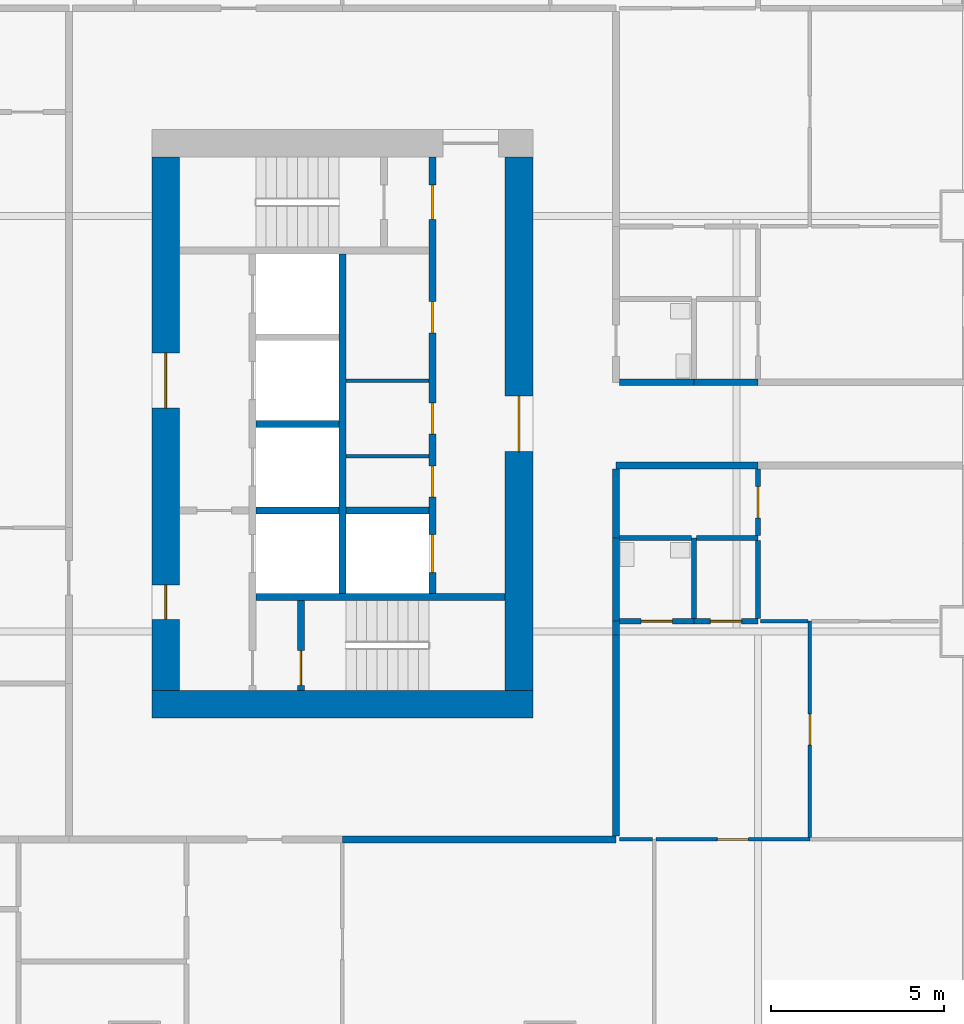
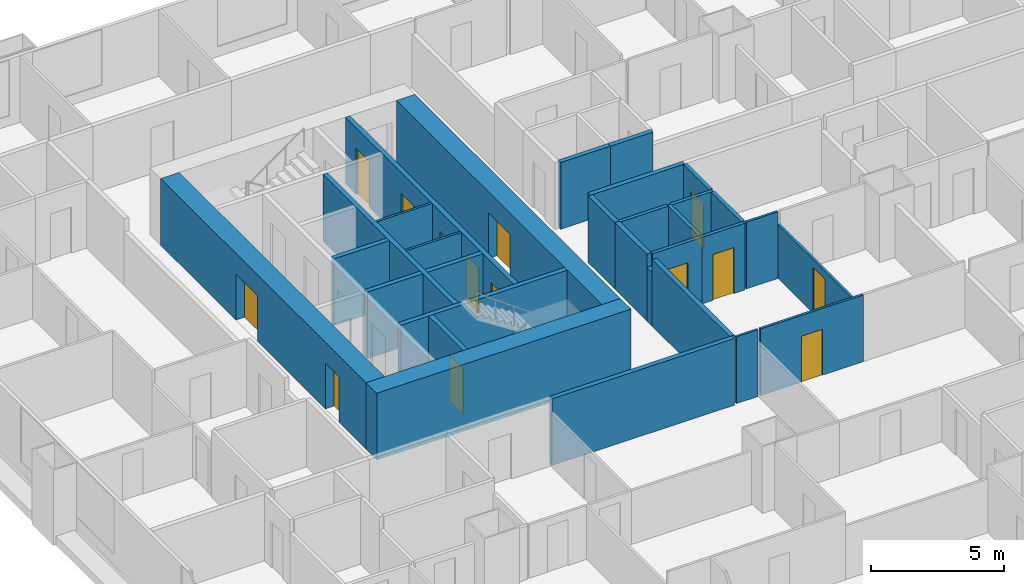
# One storey, part 4 of 14: 31 walls, 14 doors, 14 openings.
"""IFC4 building model written with IfcOpenShell, lengths in metres."""

from ifc_helpers import new_model, si_unit, direction, frame, frame_2d, origin, place, context, subcontext, project, spatial, rectangle, extrude, material, layer, layer_set, type_object, element, fill, save


model = new_model("IFC4")

# Units and contexts
model_context = context("Model", 3, precision=1e-05, world=origin(), true_north=direction((0.0, 1.0)))
body_context = subcontext(model_context, "Body", "Model", "MODEL_VIEW")
ifc_project = project(units=[si_unit("LENGTHUNIT", "METRE"), si_unit("AREAUNIT", "SQUARE_METRE"), si_unit("VOLUMEUNIT", "CUBIC_METRE"), si_unit("PLANEANGLEUNIT", "RADIAN"), si_unit("MASSUNIT", "GRAM", prefix="KILO")], contexts=[model_context])

# Site, building, storey
site_placement = place(None, origin())
site = spatial("IfcSite", under=ifc_project, at=site_placement, CompositionType="ELEMENT")
building_placement = place(site_placement, origin())
building = spatial("IfcBuilding", under=site, at=building_placement, Name="Kitamizu Gate Tower and Museum", CompositionType="ELEMENT")
storey_placement = place(building_placement, frame((0.0, 0.0, 61.050048828125)))
storey = spatial("IfcBuildingStorey", under=building, at=storey_placement, Name="L14", CompositionType="ELEMENT", Elevation=61.050048828125)

# Wall
ifc_material_1 = material(Name="Concrete Fc60", Category="concrete")
ifc_layer_1 = layer(ifc_material_1, 0.800048828125)
ifc_layer_set_1 = layer_set([ifc_layer_1], Name="Concrete Fc60")
wall_type_1 = type_object("IfcWallType", Name="Core wall 800", PredefinedType="SHEAR", material=ifc_layer_set_1)
wall_1_placement = place(storey_placement, frame((12.5, 21.89990234375, 0.0), z_axis=(0.0, 0.0, 1.0), x_axis=(1.0, 0.0, 0.0)))
element("IfcWall", 1, at=wall_1_placement, inside=storey, type_object=wall_type_1, Name="Core wall WS", PredefinedType="SHEAR", context=body_context, shape_type="SweptSolid", body=[
    extrude(rectangle(XDim=11.0, YDim=0.800048828125, at=frame_2d((5.5, 0.0))), origin(), (0.0, 0.0, 1.0), 3.050048828125),
])

# Wall, openings, doors
wall_2_placement = place(storey_placement, frame((12.89990234375, 22.300048828125, 0.0), z_axis=(0.0, 0.0, 1.0), x_axis=(0.0, 1.0, 0.0)))
wall_2 = element("IfcWall", 2, at=wall_2_placement, inside=storey, type_object=wall_type_1, Name="Core wall WOUT", PredefinedType="SHEAR", context=body_context, shape_type="SweptSolid", body=[
    extrude(rectangle(XDim=15.39990234375, YDim=0.800048828125, at=frame_2d((7.699951171875, 0.0))), origin(), (0.0, 0.0, 1.0), 3.050048828125),
])
opening_1_placement = place(wall_2_placement, frame((8.14990234375, 0.0, 0.0)))
opening_1 = element("IfcOpeningElement", 3, at=opening_1_placement, cuts=wall_2, Name="Opening L14-090", PredefinedType="OPENING", context=body_context, shape_type="SweptSolid", body=[
    extrude(rectangle(XDim=1.60009765625, YDim=2.10009765625, at=frame_2d((0.800048828125, 1.050048828125))), frame((0.0, 0.41015625, 0.0), z_axis=(0.0, -1.0, 0.0), x_axis=(1.0, 0.0, 0.0)), (0.0, 0.0, 1.0), 0.820068359375),
])
opening_2_placement = place(wall_2_placement, frame((2.050048828125, 0.0, 0.0)))
opening_2 = element("IfcOpeningElement", 4, at=opening_2_placement, cuts=wall_2, Name="Opening L14-091", PredefinedType="OPENING", context=body_context, shape_type="SweptSolid", body=[
    extrude(rectangle(XDim=1.0, YDim=2.10009765625, at=frame_2d((0.5, 1.050048828125))), frame((0.0, 0.41015625, 0.0), z_axis=(0.0, -1.0, 0.0), x_axis=(1.0, 0.0, 0.0)), (0.0, 0.0, 1.0), 0.820068359375),
])
ifc_material_2 = material(Name="Timber door set", Category="wood")
door_type_1 = type_object("IfcDoorType", Name="Entrance door 1600", OperationType="DOUBLE_DOOR_SINGLE_SWING", PredefinedType="DOOR", material=ifc_material_2)
door_1_placement = place(opening_1_placement, origin())
door_1 = element("IfcDoor", 5, at=door_1_placement, inside=storey, type_object=door_type_1, Name="Lobby door L14-090", OperationType="DOUBLE_DOOR_SINGLE_SWING", OverallHeight=2.10009765625, OverallWidth=1.60009765625, PredefinedType="DOOR", context=body_context, shape_type="SweptSolid", body=[
    extrude(rectangle(XDim=1.60009765625, YDim=2.10009765625, at=frame_2d((0.800048828125, 1.050048828125))), frame((0.0, 0.02490234375, 0.0), z_axis=(0.0, -1.0, 0.0), x_axis=(1.0, 0.0, 0.0)), (0.0, 0.0, 1.0), 0.050048828125),
])
fill(opening_1, door_1)
ifc_material_3 = material(Name="Hollow metal door set")
door_type_2 = type_object("IfcDoorType", Name="Fire door 1000", OperationType="NOTDEFINED", PredefinedType="DOOR", material=ifc_material_3)
door_2_placement = place(opening_2_placement, frame((1.0, 0.0, 0.0), x_axis=(-1.0, 0.0, 0.0)))
door_2 = element("IfcDoor", 6, at=door_2_placement, inside=storey, type_object=door_type_2, Name="Fire-fighting lobby door L14-091", OperationType="SINGLE_SWING_RIGHT", OverallHeight=2.10009765625, OverallWidth=1.0, PredefinedType="DOOR", context=body_context, shape_type="SweptSolid", body=[
    extrude(rectangle(XDim=1.0, YDim=2.10009765625, at=frame_2d((0.5, 1.050048828125))), frame((0.0, 0.02490234375, 0.0), z_axis=(0.0, -1.0, 0.0), x_axis=(1.0, 0.0, 0.0)), (0.0, 0.0, 1.0), 0.050048828125),
])
fill(opening_2, door_2)

# Wall, opening, door
wall_3_placement = place(storey_placement, frame((23.10009765625, 22.300048828125, 0.0), z_axis=(0.0, 0.0, 1.0), x_axis=(0.0, 1.0, 0.0)))
wall_3 = element("IfcWall", 7, at=wall_3_placement, inside=storey, type_object=wall_type_1, Name="Core wall WARC", PredefinedType="SHEAR", context=body_context, shape_type="SweptSolid", body=[
    extrude(rectangle(XDim=15.39990234375, YDim=0.800048828125, at=frame_2d((7.699951171875, 0.0))), origin(), (0.0, 0.0, 1.0), 3.050048828125),
])
opening_3_placement = place(wall_3_placement, frame((6.89990234375, 0.0, 0.0)))
opening_3 = element("IfcOpeningElement", 8, at=opening_3_placement, cuts=wall_3, Name="Opening L14-093", PredefinedType="OPENING", context=body_context, shape_type="SweptSolid", body=[
    extrude(rectangle(XDim=1.60009765625, YDim=2.10009765625, at=frame_2d((0.800048828125, 1.050048828125))), frame((0.0, 0.41015625, 0.0), z_axis=(0.0, -1.0, 0.0), x_axis=(1.0, 0.0, 0.0)), (0.0, 0.0, 1.0), 0.820068359375),
])
door_3_placement = place(opening_3_placement, origin())
door_3 = element("IfcDoor", 9, at=door_3_placement, inside=storey, type_object=door_type_1, Name="Lobby door L14-093", OperationType="DOUBLE_DOOR_SINGLE_SWING", OverallHeight=2.10009765625, OverallWidth=1.60009765625, PredefinedType="DOOR", context=body_context, shape_type="SweptSolid", body=[
    extrude(rectangle(XDim=1.60009765625, YDim=2.10009765625, at=frame_2d((0.800048828125, 1.050048828125))), frame((0.0, 0.02490234375, 0.0), z_axis=(0.0, -1.0, 0.0), x_axis=(1.0, 0.0, 0.0)), (0.0, 0.0, 1.0), 0.050048828125),
])
fill(opening_3, door_3)

# Walls
ifc_material_4 = material(Name="Gypsum board on galvanised stud")
ifc_layer_2 = layer(ifc_material_4, 0.10009765625)
ifc_layer_set_2 = layer_set([ifc_layer_2], Name="Gypsum board on galvanised stud")
wall_type_2 = type_object("IfcWallType", Name="Partition 100", PredefinedType="PARTITIONING", material=ifc_layer_set_2)
for number, where, z_axis, x_axis, name in (
    (10, (18.10009765625, 29.06005859375, 0.0), (0.0, 0.0, 1.0), (1.0, 0.0, 0.0), "Partition WPF1"),
    (11, (18.10009765625, 31.25, 0.0), (0.0, 0.0, 1.0), (1.0, 0.0, 0.0), "Partition WPF2"),
):
    element("IfcWall", number, at=place(storey_placement, frame(where, z_axis=z_axis, x_axis=x_axis)), inside=storey, type_object=wall_type_2, Name=name, PredefinedType="PARTITIONING", context=body_context, shape_type="SweptSolid", body=[
        extrude(rectangle(XDim=2.39990234375, YDim=0.10009765625, at=frame_2d((1.199951171875, 0.0))), origin(), (0.0, 0.0, 1.0), 3.050048828125),
    ])
ifc_material_5 = material(Name="Gypsum board on galvanised stud")
ifc_layer_3 = layer(ifc_material_5, 0.10009765625)
ifc_layer_set_3 = layer_set([ifc_layer_3], Name="Gypsum board on galvanised stud")
wall_type_3 = type_object("IfcWallType", Name="Partition 100 NOT RATED", PredefinedType="PARTITIONING", material=ifc_layer_set_3)
wall_4_placement = place(storey_placement, frame((26.949951171875, 18.0, 0.0), z_axis=(0.0, 0.0, 1.0), x_axis=(-1.0, 0.0, 0.0)))
element("IfcWall", 12, at=wall_4_placement, inside=storey, type_object=wall_type_3, Name="Partition L14-047", PredefinedType="PARTITIONING", context=body_context, shape_type="SweptSolid", body=[
    extrude(rectangle(XDim=0.949951171875, YDim=0.10009765625, at=frame_2d((0.47509765625, 0.0))), origin(), (0.0, 0.0, 1.0), 3.050048828125),
])

# Wall, opening, door
wall_5_placement = place(storey_placement, frame((31.5, 18.0, 0.0), z_axis=(0.0, 0.0, 1.0), x_axis=(-1.0, 0.0, 0.0)))
wall_5 = element("IfcWall", 13, at=wall_5_placement, inside=storey, type_object=wall_type_3, Name="Partition L14-049", PredefinedType="PARTITIONING", context=body_context, shape_type="SweptSolid", body=[
    extrude(rectangle(XDim=4.449951171875, YDim=0.10009765625, at=frame_2d((2.22509765625, 0.0))), origin(), (0.0, 0.0, 1.0), 3.050048828125),
])
opening_4_placement = place(wall_5_placement, frame((1.77490234375, 0.0, 0.0)))
opening_4 = element("IfcOpeningElement", 14, at=opening_4_placement, cuts=wall_5, Name="Opening L14-019", PredefinedType="OPENING", context=body_context, shape_type="SweptSolid", body=[
    extrude(rectangle(XDim=0.89990234375, YDim=2.10009765625, at=frame_2d((0.449951171875, 1.050048828125))), frame((0.0, 0.06005859375, 0.0), z_axis=(0.0, -1.0, 0.0), x_axis=(1.0, 0.0, 0.0)), (0.0, 0.0, 1.0), 0.1201171875),
])
ifc_material_6 = material(Name="Timber door set", Category="wood")
door_type_3 = type_object("IfcDoorType", Name="Room door 900", OperationType="NOTDEFINED", PredefinedType="DOOR", material=ifc_material_6)
door_4_placement = place(opening_4_placement, frame((0.89990234375, 0.0, 0.0), x_axis=(-1.0, 0.0, 0.0)))
door_4 = element("IfcDoor", 15, at=door_4_placement, inside=storey, type_object=door_type_3, Name="Door L14-019", OperationType="SINGLE_SWING_RIGHT", OverallHeight=2.10009765625, OverallWidth=0.89990234375, PredefinedType="DOOR", context=body_context, shape_type="SweptSolid", body=[
    extrude(rectangle(XDim=0.89990234375, YDim=2.10009765625, at=frame_2d((0.449951171875, 1.050048828125))), frame((0.0, 0.02490234375, 0.0), z_axis=(0.0, -1.0, 0.0), x_axis=(1.0, 0.0, 0.0)), (0.0, 0.0, 1.0), 0.050048828125),
])
fill(opening_4, door_4)

wall_6_placement = place(storey_placement, frame((31.5, 18.050048828125, 0.0), z_axis=(0.0, 0.0, 1.0), x_axis=(0.0, 1.0, 0.0)))
wall_6 = element("IfcWall", 16, at=wall_6_placement, inside=storey, type_object=wall_type_3, Name="Partition L14-052", PredefinedType="PARTITIONING", context=body_context, shape_type="SweptSolid", body=[
    extrude(rectangle(XDim=6.25, YDim=0.10009765625, at=frame_2d((3.125, 0.0))), origin(), (0.0, 0.0, 1.0), 2.449951171875),
])
opening_5_placement = place(wall_6_placement, frame((2.675048828125, 0.0, 0.0)))
opening_5 = element("IfcOpeningElement", 17, at=opening_5_placement, cuts=wall_6, Name="Opening L14-020", PredefinedType="OPENING", context=body_context, shape_type="SweptSolid", body=[
    extrude(rectangle(XDim=0.89990234375, YDim=2.10009765625, at=frame_2d((0.449951171875, 1.050048828125))), frame((0.0, 0.06005859375, 0.0), z_axis=(0.0, -1.0, 0.0), x_axis=(1.0, 0.0, 0.0)), (0.0, 0.0, 1.0), 0.1201171875),
])
door_5_placement = place(opening_5_placement, frame((0.89990234375, 0.0, 0.0), x_axis=(-1.0, 0.0, 0.0)))
door_5 = element("IfcDoor", 18, at=door_5_placement, inside=storey, type_object=door_type_3, Name="Door L14-020", OperationType="SINGLE_SWING_LEFT", OverallHeight=2.10009765625, OverallWidth=0.89990234375, PredefinedType="DOOR", context=body_context, shape_type="SweptSolid", body=[
    extrude(rectangle(XDim=0.89990234375, YDim=2.10009765625, at=frame_2d((0.449951171875, 1.050048828125))), frame((0.0, 0.02490234375, 0.0), z_axis=(0.0, -1.0, 0.0), x_axis=(1.0, 0.0, 0.0)), (0.0, 0.0, 1.0), 0.050048828125),
])
fill(opening_5, door_5)

# Wall
wall_7_placement = place(storey_placement, frame((31.449951171875, 24.300048828125, 0.0), z_axis=(0.0, 0.0, 1.0), x_axis=(-1.0, 0.0, 0.0)))
element("IfcWall", 19, at=wall_7_placement, inside=storey, type_object=wall_type_3, Name="Partition L14-055", PredefinedType="PARTITIONING", context=body_context, shape_type="SweptSolid", body=[
    extrude(rectangle(XDim=1.375, YDim=0.10009765625, at=frame_2d((0.6875, 0.0))), origin(), (0.0, 0.0, 1.0), 3.050048828125),
])

# Wall, opening, door
ifc_material_7 = material(Name="Gypsum board on galvanised stud")
ifc_layer_4 = layer(ifc_material_7, 0.14990234375)
ifc_layer_set_4 = layer_set([ifc_layer_4], Name="Gypsum board on galvanised stud")
wall_type_4 = type_object("IfcWallType", Name="Partition 150", PredefinedType="PARTITIONING", material=ifc_layer_set_4)
wall_8_placement = place(storey_placement, frame((28.14990234375, 24.300048828125, 0.0), z_axis=(0.0, 0.0, 1.0), x_axis=(-1.0, 0.0, 0.0)))
wall_8 = element("IfcWall", 20, at=wall_8_placement, inside=storey, type_object=wall_type_4, Name="Partition L14-053", PredefinedType="PARTITIONING", context=body_context, shape_type="SweptSolid", body=[
    extrude(rectangle(XDim=2.14990234375, YDim=0.14990234375, at=frame_2d((1.074951171875, 0.0))), origin(), (0.0, 0.0, 1.0), 3.050048828125),
])
opening_6_placement = place(wall_8_placement, frame((0.625, 0.0, 0.0)))
opening_6 = element("IfcOpeningElement", 21, at=opening_6_placement, cuts=wall_8, Name="Opening L14-021", PredefinedType="OPENING", context=body_context, shape_type="SweptSolid", body=[
    extrude(rectangle(XDim=0.89990234375, YDim=2.10009765625, at=frame_2d((0.449951171875, 1.050048828125))), frame((0.0, 0.0849609375, 0.0), z_axis=(0.0, -1.0, 0.0), x_axis=(1.0, 0.0, 0.0)), (0.0, 0.0, 1.0), 0.169921875),
])
ifc_material_8 = material(Name="Timber door set", Category="wood")
door_type_4 = type_object("IfcDoorType", Name="Bathroom door 900", OperationType="NOTDEFINED", PredefinedType="DOOR", material=ifc_material_8)
door_6_placement = place(opening_6_placement, frame((0.89990234375, 0.0, 0.0), x_axis=(-1.0, 0.0, 0.0)))
door_6 = element("IfcDoor", 22, at=door_6_placement, inside=storey, type_object=door_type_4, Name="Bathroom door L14-021", OperationType="SINGLE_SWING_RIGHT", OverallHeight=2.10009765625, OverallWidth=0.89990234375, PredefinedType="DOOR", context=body_context, shape_type="SweptSolid", body=[
    extrude(rectangle(XDim=0.89990234375, YDim=2.10009765625, at=frame_2d((0.449951171875, 1.050048828125))), frame((0.0, 0.02490234375, 0.0), z_axis=(0.0, -1.0, 0.0), x_axis=(1.0, 0.0, 0.0)), (0.0, 0.0, 1.0), 0.050048828125),
])
fill(opening_6, door_6)

wall_9_placement = place(storey_placement, frame((30.0, 24.300048828125, 0.0), z_axis=(0.0, 0.0, 1.0), x_axis=(-1.0, 0.0, 0.0)))
wall_9 = element("IfcWall", 23, at=wall_9_placement, inside=storey, type_object=wall_type_4, Name="Partition L14-054", PredefinedType="PARTITIONING", context=body_context, shape_type="SweptSolid", body=[
    extrude(rectangle(XDim=1.85009765625, YDim=0.14990234375, at=frame_2d((0.925048828125, 0.0))), origin(), (0.0, 0.0, 1.0), 3.050048828125),
])
opening_7_placement = place(wall_9_placement, frame((0.47509765625, 0.0, 0.0)))
opening_7 = element("IfcOpeningElement", 24, at=opening_7_placement, cuts=wall_9, Name="Opening L14-022", PredefinedType="OPENING", context=body_context, shape_type="SweptSolid", body=[
    extrude(rectangle(XDim=0.89990234375, YDim=2.10009765625, at=frame_2d((0.449951171875, 1.050048828125))), frame((0.0, 0.0849609375, 0.0), z_axis=(0.0, -1.0, 0.0), x_axis=(1.0, 0.0, 0.0)), (0.0, 0.0, 1.0), 0.169921875),
])
door_7_placement = place(opening_7_placement, frame((0.89990234375, 0.0, 0.0), x_axis=(-1.0, 0.0, 0.0)))
door_7 = element("IfcDoor", 25, at=door_7_placement, inside=storey, type_object=door_type_4, Name="Bathroom door L14-022", OperationType="SINGLE_SWING_LEFT", OverallHeight=2.10009765625, OverallWidth=0.89990234375, PredefinedType="DOOR", context=body_context, shape_type="SweptSolid", body=[
    extrude(rectangle(XDim=0.89990234375, YDim=2.10009765625, at=frame_2d((0.449951171875, 1.050048828125))), frame((0.0, 0.02490234375, 0.0), z_axis=(0.0, -1.0, 0.0), x_axis=(1.0, 0.0, 0.0)), (0.0, 0.0, 1.0), 0.050048828125),
])
fill(opening_7, door_7)

# Walls
wall_10_placement = place(storey_placement, frame((28.14990234375, 24.375, 0.0), z_axis=(0.0, 0.0, 1.0), x_axis=(0.0, 1.0, 0.0)))
element("IfcWall", 26, at=wall_10_placement, inside=storey, type_object=wall_type_4, Name="Partition L14-060", PredefinedType="PARTITIONING", context=body_context, shape_type="SweptSolid", body=[
    extrude(rectangle(XDim=2.324951171875, YDim=0.14990234375, at=frame_2d((1.16259765625, 0.0))), origin(), (0.0, 0.0, 1.0), 3.050048828125),
])
wall_11_placement = place(storey_placement, frame((28.074951171875, 26.699951171875, 0.0), z_axis=(0.0, 0.0, 1.0), x_axis=(-1.0, 0.0, 0.0)))
element("IfcWall", 27, at=wall_11_placement, inside=storey, type_object=wall_type_4, Name="Partition L14-061", PredefinedType="PARTITIONING", context=body_context, shape_type="SweptSolid", body=[
    extrude(rectangle(XDim=2.074951171875, YDim=0.14990234375, at=frame_2d((1.03759765625, 0.0))), origin(), (0.0, 0.0, 1.0), 3.050048828125),
])
wall_12_placement = place(storey_placement, frame((30.0, 26.699951171875, 0.0), z_axis=(0.0, 0.0, 1.0), x_axis=(-1.0, 0.0, 0.0)))
element("IfcWall", 28, at=wall_12_placement, inside=storey, type_object=wall_type_4, Name="Partition L14-063", PredefinedType="PARTITIONING", context=body_context, shape_type="SweptSolid", body=[
    extrude(rectangle(XDim=1.77490234375, YDim=0.14990234375, at=frame_2d((0.887451171875, 0.0))), origin(), (0.0, 0.0, 1.0), 3.050048828125),
])
wall_13_placement = place(storey_placement, frame((30.0, 24.375, 0.0), z_axis=(0.0, 0.0, 1.0), x_axis=(0.0, 1.0, 0.0)))
element("IfcWall", 29, at=wall_13_placement, inside=storey, type_object=wall_type_4, Name="Partition L14-064", PredefinedType="PARTITIONING", context=body_context, shape_type="SweptSolid", body=[
    extrude(rectangle(XDim=2.25, YDim=0.14990234375, at=frame_2d((1.125, 0.0))), origin(), (0.0, 0.0, 1.0), 3.050048828125),
])

# Wall, opening, door
wall_14_placement = place(storey_placement, frame((30.0, 26.77490234375, 0.0), z_axis=(0.0, 0.0, 1.0), x_axis=(0.0, 1.0, 0.0)))
wall_14 = element("IfcWall", 30, at=wall_14_placement, inside=storey, type_object=wall_type_4, Name="Partition L14-065", PredefinedType="PARTITIONING", context=body_context, shape_type="SweptSolid", body=[
    extrude(rectangle(XDim=1.925048828125, YDim=0.14990234375, at=frame_2d((0.96240234375, 0.0))), origin(), (0.0, 0.0, 1.0), 3.050048828125),
])
opening_8_placement = place(wall_14_placement, frame((0.512451171875, 0.0, 0.0)))
opening_8 = element("IfcOpeningElement", 31, at=opening_8_placement, cuts=wall_14, Name="Opening L14-024", PredefinedType="OPENING", context=body_context, shape_type="SweptSolid", body=[
    extrude(rectangle(XDim=0.89990234375, YDim=2.10009765625, at=frame_2d((0.449951171875, 1.050048828125))), frame((0.0, 0.0849609375, 0.0), z_axis=(0.0, -1.0, 0.0), x_axis=(1.0, 0.0, 0.0)), (0.0, 0.0, 1.0), 0.169921875),
])
door_8_placement = place(opening_8_placement, origin())
door_8 = element("IfcDoor", 32, at=door_8_placement, inside=storey, type_object=door_type_4, Name="Bathroom door L14-024", OperationType="SINGLE_SWING_LEFT", OverallHeight=2.10009765625, OverallWidth=0.89990234375, PredefinedType="DOOR", context=body_context, shape_type="SweptSolid", body=[
    extrude(rectangle(XDim=0.89990234375, YDim=2.10009765625, at=frame_2d((0.449951171875, 1.050048828125))), frame((0.0, 0.02490234375, 0.0), z_axis=(0.0, -1.0, 0.0), x_axis=(1.0, 0.0, 0.0)), (0.0, 0.0, 1.0), 0.050048828125),
])
fill(opening_8, door_8)

# Walls
ifc_material_9 = material(Name="Gypsum board on galvanised stud")
ifc_layer_5 = layer(ifc_material_9, 0.199951171875)
ifc_layer_set_5 = layer_set([ifc_layer_5], Name="Gypsum board on galvanised stud")
wall_type_5 = type_object("IfcWallType", Name="Partition 200", PredefinedType="PARTITIONING", material=ifc_layer_set_5)
wall_15_placement = place(storey_placement, frame((25.89990234375, 18.0, 0.0), z_axis=(0.0, 0.0, 1.0), x_axis=(-1.0, 0.0, 0.0)))
element("IfcWall", 33, at=wall_15_placement, inside=storey, type_object=wall_type_5, Name="Partition L14-048", PredefinedType="PARTITIONING", context=body_context, shape_type="SweptSolid", body=[
    extrude(rectangle(XDim=7.89990234375, YDim=0.199951171875, at=frame_2d((3.949951171875, 0.0))), origin(), (0.0, 0.0, 1.0), 3.050048828125),
])
wall_16_placement = place(storey_placement, frame((25.89990234375, 24.300048828125, 0.0), z_axis=(0.0, 0.0, 1.0), x_axis=(0.0, -1.0, 0.0)))
element("IfcWall", 34, at=wall_16_placement, inside=storey, type_object=wall_type_5, Name="Partition L14-056", PredefinedType="PARTITIONING", context=body_context, shape_type="SweptSolid", body=[
    extrude(rectangle(XDim=0.400146484375, YDim=0.199951171875, at=frame_2d((0.2001953125, 0.0))), origin(), (0.0, 0.0, 1.0), 2.449951171875),
])
wall_17_placement = place(storey_placement, frame((25.89990234375, 23.89990234375, 0.0), z_axis=(0.0, 0.0, 1.0), x_axis=(0.0, -1.0, 0.0)))
element("IfcWall", 35, at=wall_17_placement, inside=storey, type_object=wall_type_5, Name="Partition L14-057", PredefinedType="PARTITIONING", context=body_context, shape_type="SweptSolid", body=[
    extrude(rectangle(XDim=5.7998046875, YDim=0.199951171875, at=frame_2d((2.89990234375, 0.0))), origin(), (0.0, 0.0, 1.0), 3.050048828125),
])
wall_18_placement = place(storey_placement, frame((25.89990234375, 26.699951171875, 0.0), z_axis=(0.0, 0.0, 1.0), x_axis=(0.0, -1.0, 0.0)))
element("IfcWall", 36, at=wall_18_placement, inside=storey, type_object=wall_type_5, Name="Partition L14-062", PredefinedType="PARTITIONING", context=body_context, shape_type="SweptSolid", body=[
    extrude(rectangle(XDim=2.39990234375, YDim=0.199951171875, at=frame_2d((1.199951171875, 0.0))), origin(), (0.0, 0.0, 1.0), 3.050048828125),
])
wall_19_placement = place(storey_placement, frame((30.0, 28.800048828125, 0.0), z_axis=(0.0, 0.0, 1.0), x_axis=(-1.0, 0.0, 0.0)))
element("IfcWall", 37, at=wall_19_placement, inside=storey, type_object=wall_type_5, Name="Partition L14-066", PredefinedType="PARTITIONING", context=body_context, shape_type="SweptSolid", body=[
    extrude(rectangle(XDim=4.10009765625, YDim=0.199951171875, at=frame_2d((2.050048828125, 0.0))), origin(), (0.0, 0.0, 1.0), 3.050048828125),
])
wall_20_placement = place(storey_placement, frame((25.89990234375, 28.699951171875, 0.0), z_axis=(0.0, 0.0, 1.0), x_axis=(0.0, -1.0, 0.0)))
element("IfcWall", 38, at=wall_20_placement, inside=storey, type_object=wall_type_5, Name="Partition L14-067", PredefinedType="PARTITIONING", context=body_context, shape_type="SweptSolid", body=[
    extrude(rectangle(XDim=2.0, YDim=0.199951171875, at=frame_2d((1.0, 0.0))), origin(), (0.0, 0.0, 1.0), 3.050048828125),
])
wall_21_placement = place(storey_placement, frame((26.0, 31.199951171875, 0.0), z_axis=(0.0, 0.0, 1.0), x_axis=(1.0, 0.0, 0.0)))
element("IfcWall", 39, at=wall_21_placement, inside=storey, type_object=wall_type_5, Name="Partition L14-186", PredefinedType="PARTITIONING", context=body_context, shape_type="SweptSolid", body=[
    extrude(rectangle(XDim=2.14990234375, YDim=0.199951171875, at=frame_2d((1.074951171875, 0.0))), origin(), (0.0, 0.0, 1.0), 3.050048828125),
])
wall_22_placement = place(storey_placement, frame((28.14990234375, 31.199951171875, 0.0), z_axis=(0.0, 0.0, 1.0), x_axis=(1.0, 0.0, 0.0)))
element("IfcWall", 40, at=wall_22_placement, inside=storey, type_object=wall_type_5, Name="Partition L14-189", PredefinedType="PARTITIONING", context=body_context, shape_type="SweptSolid", body=[
    extrude(rectangle(XDim=1.85009765625, YDim=0.199951171875, at=frame_2d((0.925048828125, 0.0))), origin(), (0.0, 0.0, 1.0), 3.050048828125),
])

# Wall, openings, doors
ifc_material_10 = material(Name="Concrete Fc42", Category="concrete")
ifc_layer_6 = layer(ifc_material_10, 0.199951171875)
ifc_layer_set_6 = layer_set([ifc_layer_6], Name="Concrete Fc42")
wall_type_6 = type_object("IfcWallType", Name="Shaft wall 200", PredefinedType="SOLIDWALL", material=ifc_layer_set_6)
wall_23_placement = place(storey_placement, frame((20.60009765625, 25.10009765625, 0.0), z_axis=(0.0, 0.0, 1.0), x_axis=(0.0, 1.0, 0.0)))
wall_23 = element("IfcWall", 41, at=wall_23_placement, inside=storey, type_object=wall_type_6, Name="Shaft wall WEAST", PredefinedType="SOLIDWALL", context=body_context, shape_type="SweptSolid", body=[
    extrude(rectangle(XDim=12.599853515625, YDim=0.199951171875, at=frame_2d((6.2998046875, 0.0))), origin(), (0.0, 0.0, 1.0), 3.050048828125),
])
opening_9_placement = place(wall_23_placement, frame((0.60009765625, 0.0, 0.0)))
opening_9 = element("IfcOpeningElement", 42, at=opening_9_placement, cuts=wall_23, Name="Opening LD", PredefinedType="OPENING", context=body_context, shape_type="SweptSolid", body=[
    extrude(rectangle(XDim=1.10009765625, YDim=2.10009765625, at=frame_2d((0.550048828125, 1.050048828125))), frame((0.0, 0.10986328125, 0.0), z_axis=(0.0, -1.0, 0.0), x_axis=(1.0, 0.0, 0.0)), (0.0, 0.0, 1.0), 0.219970703125),
])
opening_10_placement = place(wall_23_placement, frame((10.800048828125, 0.0, 0.0)))
opening_10 = element("IfcOpeningElement", 43, at=opening_10_placement, cuts=wall_23, Name="Opening L14-087", PredefinedType="OPENING", context=body_context, shape_type="SweptSolid", body=[
    extrude(rectangle(XDim=1.0, YDim=2.10009765625, at=frame_2d((0.5, 1.050048828125))), frame((0.0, 0.10986328125, 0.0), z_axis=(0.0, -1.0, 0.0), x_axis=(1.0, 0.0, 0.0)), (0.0, 0.0, 1.0), 0.219970703125),
])
opening_11_placement = place(wall_23_placement, frame((2.780029296875, 0.0, 0.0)))
opening_11 = element("IfcOpeningElement", 44, at=opening_11_placement, cuts=wall_23, Name="Opening L14-094", PredefinedType="OPENING", context=body_context, shape_type="SweptSolid", body=[
    extrude(rectangle(XDim=0.89990234375, YDim=2.10009765625, at=frame_2d((0.449951171875, 1.050048828125))), frame((0.0, 0.10986328125, 0.0), z_axis=(0.0, -1.0, 0.0), x_axis=(1.0, 0.0, 0.0)), (0.0, 0.0, 1.0), 0.219970703125),
])
opening_12_placement = place(wall_23_placement, frame((4.60498046875, 0.0, 0.0)))
opening_12 = element("IfcOpeningElement", 45, at=opening_12_placement, cuts=wall_23, Name="Opening L14-095", PredefinedType="OPENING", context=body_context, shape_type="SweptSolid", body=[
    extrude(rectangle(XDim=0.89990234375, YDim=2.10009765625, at=frame_2d((0.449951171875, 1.050048828125))), frame((0.0, 0.10986328125, 0.0), z_axis=(0.0, -1.0, 0.0), x_axis=(1.0, 0.0, 0.0)), (0.0, 0.0, 1.0), 0.219970703125),
])
opening_13_placement = place(wall_23_placement, frame((7.52490234375, 0.0, 0.0)))
opening_13 = element("IfcOpeningElement", 46, at=opening_13_placement, cuts=wall_23, Name="Opening L14-096", PredefinedType="OPENING", context=body_context, shape_type="SweptSolid", body=[
    extrude(rectangle(XDim=0.89990234375, YDim=2.10009765625, at=frame_2d((0.449951171875, 1.050048828125))), frame((0.0, 0.10986328125, 0.0), z_axis=(0.0, -1.0, 0.0), x_axis=(1.0, 0.0, 0.0)), (0.0, 0.0, 1.0), 0.219970703125),
])
door_9_placement = place(opening_10_placement, origin())
door_9 = element("IfcDoor", 47, at=door_9_placement, inside=storey, type_object=door_type_2, Name="Stair lobby door L14-087", OperationType="SINGLE_SWING_RIGHT", OverallHeight=2.10009765625, OverallWidth=1.0, PredefinedType="DOOR", context=body_context, shape_type="SweptSolid", body=[
    extrude(rectangle(XDim=1.0, YDim=2.10009765625, at=frame_2d((0.5, 1.050048828125))), frame((0.0, 0.02490234375, 0.0), z_axis=(0.0, -1.0, 0.0), x_axis=(1.0, 0.0, 0.0)), (0.0, 0.0, 1.0), 0.050048828125),
])
fill(opening_10, door_9)
ifc_material_11 = material(Name="Hollow metal door set")
door_type_5 = type_object("IfcDoorType", Name="Landing door 1100", OperationType="SLIDING_TO_LEFT", PredefinedType="DOOR", material=ifc_material_11)
door_10_placement = place(opening_9_placement, origin())
door_10 = element("IfcDoor", 48, at=door_10_placement, inside=storey, type_object=door_type_5, Name="Landing door WSV1", OperationType="SLIDING_TO_LEFT", OverallHeight=2.10009765625, OverallWidth=1.10009765625, PredefinedType="DOOR", context=body_context, shape_type="SweptSolid", body=[
    extrude(rectangle(XDim=1.10009765625, YDim=2.10009765625, at=frame_2d((0.550048828125, 1.050048828125))), frame((0.0, 0.02490234375, 0.0), z_axis=(0.0, -1.0, 0.0), x_axis=(1.0, 0.0, 0.0)), (0.0, 0.0, 1.0), 0.050048828125),
])
fill(opening_9, door_10)
ifc_material_12 = material(Name="Timber door set", Category="wood")
door_type_6 = type_object("IfcDoorType", Name="Service door 900", OperationType="NOTDEFINED", PredefinedType="DOOR", material=ifc_material_12)
door_11_placement = place(opening_11_placement, origin())
door_11 = element("IfcDoor", 49, at=door_11_placement, inside=storey, type_object=door_type_6, Name="Service door L14-094", OperationType="SINGLE_SWING_RIGHT", OverallHeight=2.10009765625, OverallWidth=0.89990234375, PredefinedType="DOOR", context=body_context, shape_type="SweptSolid", body=[
    extrude(rectangle(XDim=0.89990234375, YDim=2.10009765625, at=frame_2d((0.449951171875, 1.050048828125))), frame((0.0, 0.02490234375, 0.0), z_axis=(0.0, -1.0, 0.0), x_axis=(1.0, 0.0, 0.0)), (0.0, 0.0, 1.0), 0.050048828125),
])
fill(opening_11, door_11)
door_12_placement = place(opening_12_placement, origin())
door_12 = element("IfcDoor", 50, at=door_12_placement, inside=storey, type_object=door_type_6, Name="Service door L14-095", OperationType="SINGLE_SWING_LEFT", OverallHeight=2.10009765625, OverallWidth=0.89990234375, PredefinedType="DOOR", context=body_context, shape_type="SweptSolid", body=[
    extrude(rectangle(XDim=0.89990234375, YDim=2.10009765625, at=frame_2d((0.449951171875, 1.050048828125))), frame((0.0, 0.02490234375, 0.0), z_axis=(0.0, -1.0, 0.0), x_axis=(1.0, 0.0, 0.0)), (0.0, 0.0, 1.0), 0.050048828125),
])
fill(opening_12, door_12)
door_13_placement = place(opening_13_placement, origin())
door_13 = element("IfcDoor", 51, at=door_13_placement, inside=storey, type_object=door_type_6, Name="Service door L14-096", OperationType="SINGLE_SWING_RIGHT", OverallHeight=2.10009765625, OverallWidth=0.89990234375, PredefinedType="DOOR", context=body_context, shape_type="SweptSolid", body=[
    extrude(rectangle(XDim=0.89990234375, YDim=2.10009765625, at=frame_2d((0.449951171875, 1.050048828125))), frame((0.0, 0.02490234375, 0.0), z_axis=(0.0, -1.0, 0.0), x_axis=(1.0, 0.0, 0.0)), (0.0, 0.0, 1.0), 0.050048828125),
])
fill(opening_13, door_13)

# Walls
wall_24_placement = place(storey_placement, frame((18.0, 25.10009765625, 0.0), z_axis=(0.0, 0.0, 1.0), x_axis=(0.0, 1.0, 0.0)))
element("IfcWall", 52, at=wall_24_placement, inside=storey, type_object=wall_type_6, Name="Shaft wall WMID", PredefinedType="SOLIDWALL", context=body_context, shape_type="SweptSolid", body=[
    extrude(rectangle(XDim=9.7998046875, YDim=0.199951171875, at=frame_2d((4.89990234375, 0.0))), origin(), (0.0, 0.0, 1.0), 3.050048828125),
])
wall_25_placement = place(storey_placement, frame((15.5, 25.0, 0.0), z_axis=(0.0, 0.0, 1.0), x_axis=(1.0, 0.0, 0.0)))
element("IfcWall", 53, at=wall_25_placement, inside=storey, type_object=wall_type_6, Name="Shaft wall WSB", PredefinedType="SOLIDWALL", context=body_context, shape_type="SweptSolid", body=[
    extrude(rectangle(XDim=7.199951171875, YDim=0.199951171875, at=frame_2d((3.60009765625, 0.0))), origin(), (0.0, 0.0, 1.0), 3.050048828125),
])

# Wall, opening, door
wall_26_placement = place(storey_placement, frame((16.800048828125, 22.300048828125, 0.0), z_axis=(0.0, 0.0, 1.0), x_axis=(0.0, 1.0, 0.0)))
wall_26 = element("IfcWall", 54, at=wall_26_placement, inside=storey, type_object=wall_type_6, Name="Shaft wall WSZ", PredefinedType="SOLIDWALL", context=body_context, shape_type="SweptSolid", body=[
    extrude(rectangle(XDim=2.599853515625, YDim=0.199951171875, at=frame_2d((1.2998046875, 0.0))), origin(), (0.0, 0.0, 1.0), 3.050048828125),
])
opening_14_placement = place(wall_26_placement, frame((0.14990234375, 0.0, 0.0)))
opening_14 = element("IfcOpeningElement", 55, at=opening_14_placement, cuts=wall_26, Name="Opening L14-085", PredefinedType="OPENING", context=body_context, shape_type="SweptSolid", body=[
    extrude(rectangle(XDim=1.0, YDim=2.10009765625, at=frame_2d((0.5, 1.050048828125))), frame((0.0, 0.10986328125, 0.0), z_axis=(0.0, -1.0, 0.0), x_axis=(1.0, 0.0, 0.0)), (0.0, 0.0, 1.0), 0.219970703125),
])
door_14_placement = place(opening_14_placement, frame((1.0, 0.0, 0.0), x_axis=(-1.0, 0.0, 0.0)))
door_14 = element("IfcDoor", 56, at=door_14_placement, inside=storey, type_object=door_type_2, Name="Stair door L14-085", OperationType="SINGLE_SWING_LEFT", OverallHeight=2.10009765625, OverallWidth=1.0, PredefinedType="DOOR", context=body_context, shape_type="SweptSolid", body=[
    extrude(rectangle(XDim=1.0, YDim=2.10009765625, at=frame_2d((0.5, 1.050048828125))), frame((0.0, 0.02490234375, 0.0), z_axis=(0.0, -1.0, 0.0), x_axis=(1.0, 0.0, 0.0)), (0.0, 0.0, 1.0), 0.050048828125),
])
fill(opening_14, door_14)

# Walls
for number, where, z_axis, x_axis, name in (
    (57, (15.5, 27.5, 0.0), (0.0, 0.0, 1.0), (1.0, 0.0, 0.0), "Shaft wall WDVW0"),
    (58, (15.5, 30.0, 0.0), (0.0, 0.0, 1.0), (1.0, 0.0, 0.0), "Shaft wall WDVW1"),
    (59, (18.10009765625, 27.5, 0.0), (0.0, 0.0, 1.0), (1.0, 0.0, 0.0), "Shaft wall WDVE0"),
):
    element("IfcWall", number, at=place(storey_placement, frame(where, z_axis=z_axis, x_axis=x_axis)), inside=storey, type_object=wall_type_6, Name=name, PredefinedType="SOLIDWALL", context=body_context, shape_type="SweptSolid", body=[
        extrude(rectangle(XDim=2.39990234375, YDim=0.199951171875, at=frame_2d((1.199951171875, 0.0))), origin(), (0.0, 0.0, 1.0), 3.050048828125),
    ])

save(model, "model.ifc")
